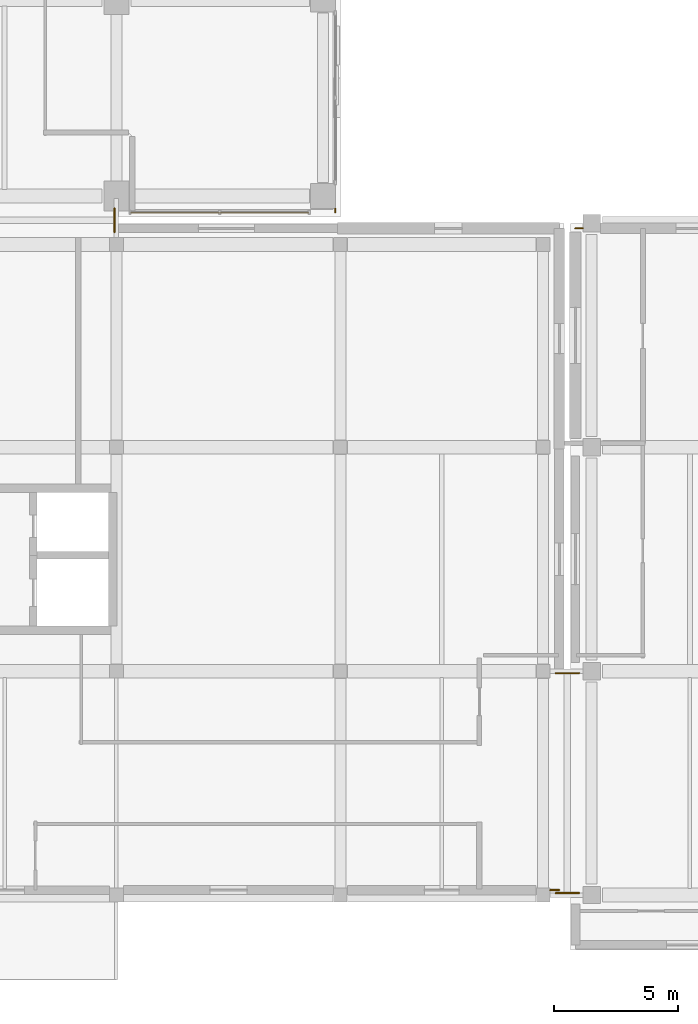
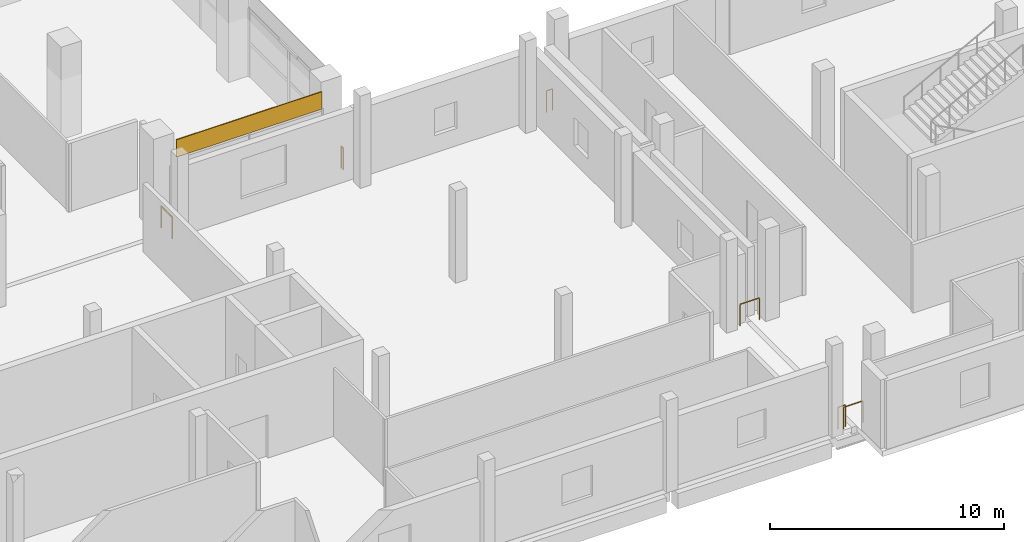
# One storey, part 91 of 111: 6 railings, 1 covering.
"""IFC4 building model written with IfcOpenShell, lengths in metres."""

from ifc_helpers import new_model, si_unit, direction, frame, origin, origin_2d, place, context, subcontext, project, spatial, rectangle, circle, extrude, material, layer, layer_set, type_object, element, save


model = new_model("IFC4")

# Units and contexts
model_context = context("Model", 3, precision=1e-05, world=origin(), true_north=direction((0.0, 1.0)))
body_context = subcontext(model_context, "Body", "Model", "MODEL_VIEW")
ifc_project = project(units=[si_unit("LENGTHUNIT", "METRE"), si_unit("AREAUNIT", "SQUARE_METRE"), si_unit("VOLUMEUNIT", "CUBIC_METRE"), si_unit("PLANEANGLEUNIT", "RADIAN"), si_unit("MASSUNIT", "GRAM", prefix="KILO"), si_unit("THERMODYNAMICTEMPERATUREUNIT", "KELVIN"), si_unit("POWERUNIT", "WATT")], contexts=[model_context])

# Site, building, storey
site_placement = place(None, origin())
site = spatial("IfcSite", under=ifc_project, at=site_placement, CompositionType="ELEMENT")
building_placement = place(site_placement, origin())
building = spatial("IfcBuilding", under=site, at=building_placement, Name="Sindhuravela Promenade Stadium", CompositionType="ELEMENT")
storey_placement = place(building_placement, frame((0.0, 0.0, 9.60009765625)))
storey = spatial("IfcBuildingStorey", under=building, at=storey_placement, Name="L02", CompositionType="ELEMENT", Elevation=9.60009765625)

# Covering
ifc_material_1 = material(Name="Polychrome trencadis ceramic mosaic", Category="masonry")
ifc_layer = layer(ifc_material_1, 0.050048828125)
ifc_layer_set = layer_set([ifc_layer], Name="Polychrome trencadis ceramic mosaic")
covering_type = type_object("IfcCoveringType", Name="CV-TRENC-2", PredefinedType="CLADDING", material=ifc_layer_set)
covering_placement = place(storey_placement, frame((40.14990234375, 36.429931640625, 3.5546875), z_axis=(0.0, 0.0, 1.0), x_axis=(-1.0, 0.0, 0.0)))
element("IfcCovering", 1, at=covering_placement, inside=storey, type_object=covering_type, Name="Trencadis ceramic mosaic spandrel frieze WEST L02-59", PredefinedType="CLADDING", context=body_context, shape_type="SweptSolid", body=[
    extrude(rectangle(XDim=7.169921875, YDim=0.050048828125, at=origin_2d()), origin(), (0.0, 0.0, 1.0), 0.905029296875),
])

# Railings
ifc_material_2 = material(Name="Architectural wrought steel E350", Category="steel")
railing_type = type_object("IfcRailingType", Name="RL-GRD-1150", PredefinedType="GUARDRAIL", material=ifc_material_2)
railing_1_placement = place(storey_placement, frame((44.800048828125, 36.594970703125, 0.0)))
element("IfcRailing", 2, at=railing_1_placement, inside=storey, type_object=railing_type, Name="Perimeter edge return guard WEST L02", PredefinedType="GUARDRAIL", context=body_context, shape_type="SweptSolid", body=[
    extrude(circle(Radius=0.02392578125, at=origin_2d()), frame((0.0, 0.0, 1.1259765625), z_axis=(0.0, -1.0, 0.0), x_axis=(1.0, 0.0, 0.0)), (0.0, 0.0, 1.0), 0.14501953125),
    extrude(circle(Radius=0.02099609375, at=origin_2d()), origin(), (0.0, 0.0, 1.0), 1.101806640625),
    extrude(circle(Radius=0.02099609375, at=origin_2d()), frame((0.0, -0.14501953125, 0.0)), (0.0, 0.0, 1.0), 1.101806640625),
])
railing_2_placement = place(storey_placement, frame((54.449951171875, 35.800048828125, 0.0)))
element("IfcRailing", 3, at=railing_2_placement, inside=storey, type_object=railing_type, Name="Perimeter edge return guard SOUTH L02", PredefinedType="GUARDRAIL", context=body_context, shape_type="SweptSolid", body=[
    extrude(circle(Radius=0.02392578125, at=origin_2d()), frame((0.0, 0.0, 1.1259765625), z_axis=(1.0, 0.0, 0.0), x_axis=(0.0, 1.0, 0.0)), (0.0, 0.0, 1.0), 0.295166015625),
    extrude(circle(Radius=0.02099609375, at=origin_2d()), origin(), (0.0, 0.0, 1.0), 1.101806640625),
    extrude(circle(Radius=0.02099609375, at=origin_2d()), frame((0.295166015625, 0.0, 0.0)), (0.0, 0.0, 1.0), 1.101806640625),
])
railing_3_placement = place(storey_placement, frame((53.800048828125, 9.199951171875, 0.0)))
element("IfcRailing", 4, at=railing_3_placement, inside=storey, type_object=railing_type, Name="Perimeter edge return guard Pavilion SW L02", PredefinedType="GUARDRAIL", context=body_context, shape_type="SweptSolid", body=[
    extrude(circle(Radius=0.02392578125, at=origin_2d()), frame((0.0, 0.0, 1.1259765625), z_axis=(-1.0, 0.0, 0.0), x_axis=(0.0, -1.0, 0.0)), (0.0, 0.0, 1.0), 0.3701171875),
    extrude(circle(Radius=0.02099609375, at=origin_2d()), origin(), (0.0, 0.0, 1.0), 1.101806640625),
    extrude(circle(Radius=0.02099609375, at=origin_2d()), frame((-0.3701171875, 0.0, 0.0)), (0.0, 0.0, 1.0), 1.101806640625),
])
railing_4_placement = place(storey_placement, frame((35.919921875, 35.64990234375, 0.0)))
element("IfcRailing", 5, at=railing_4_placement, inside=storey, type_object=railing_type, Name="Bridge edge guardrail GR01-74", PredefinedType="GUARDRAIL", context=body_context, shape_type="SweptSolid", body=[
    extrude(circle(Radius=0.02392578125, at=origin_2d()), frame((0.0, 0.0, 1.1259765625), z_axis=(0.0, 1.0, 0.0), x_axis=(-1.0, 0.0, 0.0)), (0.0, 0.0, 1.0), 0.9501953125),
    extrude(circle(Radius=0.02099609375, at=origin_2d()), origin(), (0.0, 0.0, 1.0), 1.101806640625),
    extrude(circle(Radius=0.02099609375, at=origin_2d()), frame((0.0, 0.9501953125, 0.0)), (0.0, 0.0, 1.0), 1.101806640625),
])
for number, where, name in (
    (6, (53.64990234375, 9.080078125, 0.0), "Bridge edge guardrail GR01-81"),
    (7, (53.64990234375, 17.919921875, 0.0), "Bridge edge guardrail GR01-82"),
):
    element("IfcRailing", number, at=place(storey_placement, frame(where)), inside=storey, type_object=railing_type, Name=name, PredefinedType="GUARDRAIL", context=body_context, shape_type="SweptSolid", body=[
        extrude(circle(Radius=0.02392578125, at=origin_2d()), frame((0.0, 0.0, 1.1259765625), z_axis=(1.0, 0.0, 0.0), x_axis=(0.0, 1.0, 0.0)), (0.0, 0.0, 1.0), 0.9501953125),
        extrude(circle(Radius=0.02099609375, at=origin_2d()), origin(), (0.0, 0.0, 1.0), 1.101806640625),
        extrude(circle(Radius=0.02099609375, at=origin_2d()), frame((0.9501953125, 0.0, 0.0)), (0.0, 0.0, 1.0), 1.101806640625),
    ])

save(model, "model.ifc")
